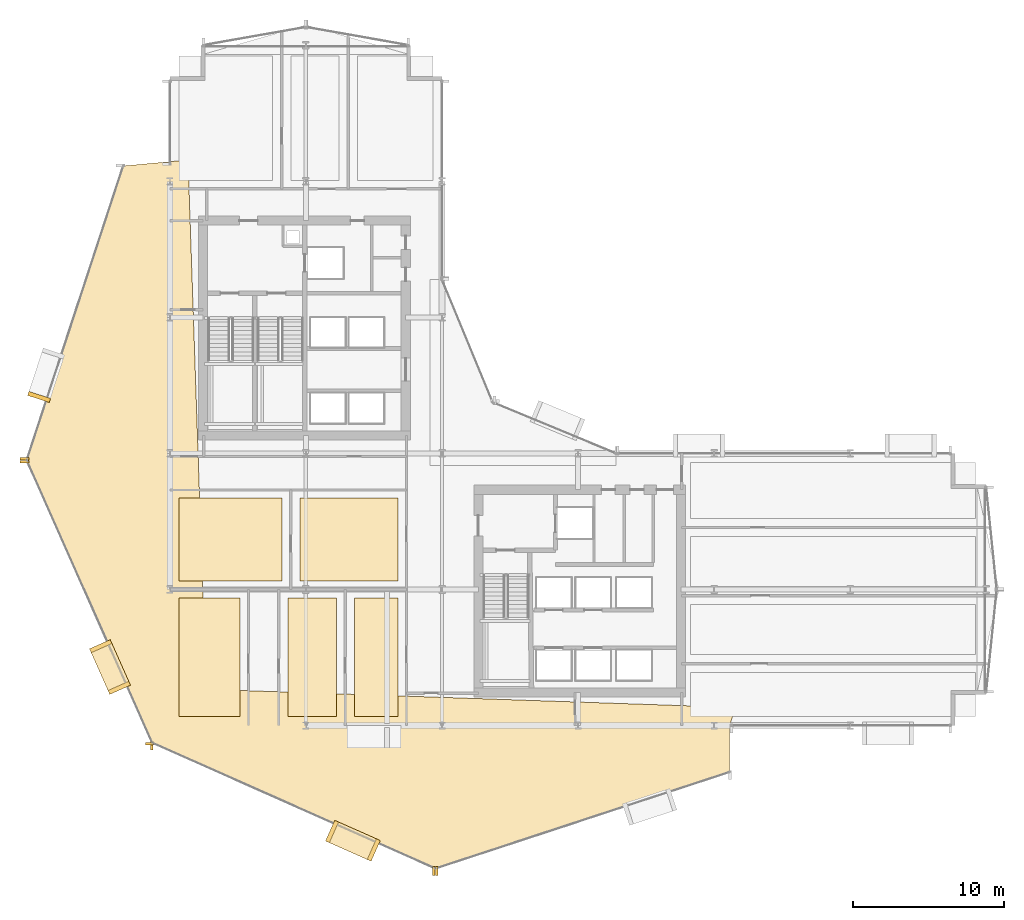
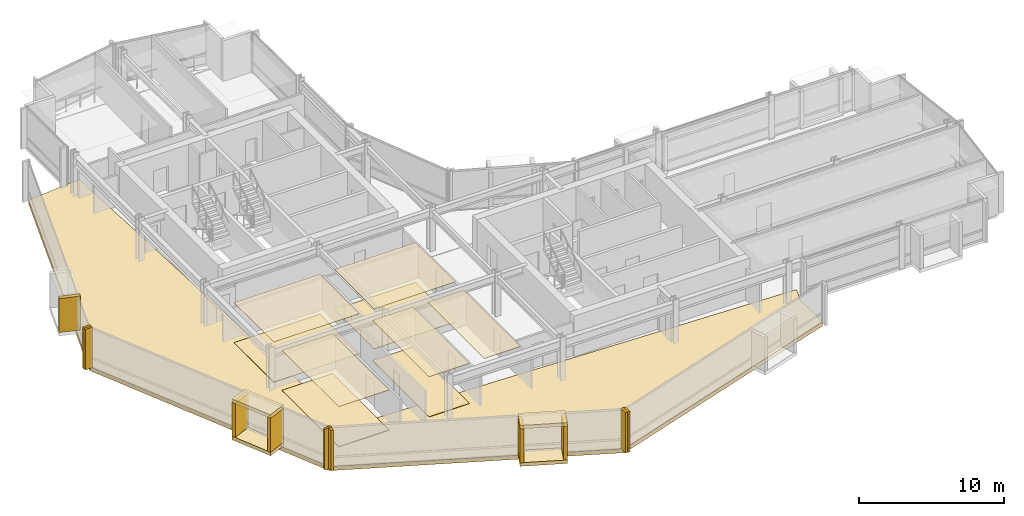
# One storey, part 30 of 34: 25 coverings.
"""IFC4 building model written with IfcOpenShell, lengths in metres."""

from ifc_helpers import new_model, si_unit, direction, frame, origin, origin_2d, place, context, subcontext, project, spatial, polyline, rectangle, outline, extrude, material, layer, layer_set, type_object, element, save


model = new_model("IFC4")

# Units and contexts
model_context = context("Model", 3, precision=1e-05, world=origin(), true_north=direction((0.0, 1.0)))
body_context = subcontext(model_context, "Body", "Model", "MODEL_VIEW")
ifc_project = project(units=[si_unit("LENGTHUNIT", "METRE"), si_unit("AREAUNIT", "SQUARE_METRE"), si_unit("VOLUMEUNIT", "CUBIC_METRE"), si_unit("PLANEANGLEUNIT", "RADIAN"), si_unit("MASSUNIT", "GRAM", prefix="KILO")], contexts=[model_context])

# Site, building, storey
site_placement = place(None, origin())
site = spatial("IfcSite", under=ifc_project, at=site_placement, CompositionType="ELEMENT")
building_placement = place(site_placement, origin())
building = spatial("IfcBuilding", under=site, at=building_placement, Name="Solvaryn Broadcast Tower", CompositionType="ELEMENT")
storey_placement = place(building_placement, frame((0.0, 0.0, 47.10009765625)))
storey = spatial("IfcBuildingStorey", under=building, at=storey_placement, Name="L10", CompositionType="ELEMENT", Elevation=47.10009765625)

# Coverings
ifc_material_1 = material(Name="Micro-Perforated Acoustic Gypsum Ceiling", Category="concrete")
ifc_layer_1 = layer(ifc_material_1, 0.0400390625)
ifc_layer_set_1 = layer_set([ifc_layer_1], Name="CV-CEIL-ACOUSTIC")
covering_type_1 = type_object("IfcCoveringType", Name="CV-CEIL-ACOUSTIC", PredefinedType="CEILING", material=ifc_layer_set_1)
covering_1_placement = place(storey_placement, frame((0.0, 0.0, 3.3798828125)))
element("IfcCovering", 1, at=covering_1_placement, inside=storey, type_object=covering_type_1, Name="L10 Room Acoustic Ceiling 1", PredefinedType="CEILING", context=body_context, shape_type="SweptSolid", body=[
    extrude(outline(polyline([(9.60009765625, 18.570068359375), (16.429931640625, 18.570068359375), (16.429931640625, 24.050048828125), (9.60009765625, 24.050048828125), (9.60009765625, 18.570068359375)])), origin(), (0.0, 0.0, 1.0), 0.0400390625),
])
covering_2_placement = place(storey_placement, frame((0.0, 0.0, 3.3798828125)))
element("IfcCovering", 2, at=covering_2_placement, inside=storey, type_object=covering_type_1, Name="L10 Room Acoustic Ceiling 2", PredefinedType="CEILING", context=body_context, shape_type="SweptSolid", body=[
    extrude(outline(polyline([(17.60009765625, 18.570068359375), (24.080078125, 18.570068359375), (24.080078125, 24.050048828125), (17.60009765625, 24.050048828125), (17.60009765625, 18.570068359375)])), origin(), (0.0, 0.0, 1.0), 0.0400390625),
])
covering_3_placement = place(storey_placement, frame((0.0, 0.0, 3.3798828125)))
element("IfcCovering", 3, at=covering_3_placement, inside=storey, type_object=covering_type_1, Name="L10 Room Acoustic Ceiling 3", PredefinedType="CEILING", context=body_context, shape_type="SweptSolid", body=[
    extrude(outline(polyline([(9.60009765625, 9.60009765625), (13.6298828125, 9.60009765625), (13.6298828125, 17.429931640625), (9.60009765625, 17.429931640625), (9.60009765625, 9.60009765625)])), origin(), (0.0, 0.0, 1.0), 0.0400390625),
])
covering_4_placement = place(storey_placement, frame((0.0, 0.0, 3.3798828125)))
element("IfcCovering", 4, at=covering_4_placement, inside=storey, type_object=covering_type_1, Name="L10 Room Acoustic Ceiling 4", PredefinedType="CEILING", context=body_context, shape_type="SweptSolid", body=[
    extrude(outline(polyline([(16.800048828125, 9.60009765625), (20.030029296875, 9.60009765625), (20.030029296875, 17.429931640625), (16.800048828125, 17.429931640625), (16.800048828125, 9.60009765625)])), origin(), (0.0, 0.0, 1.0), 0.0400390625),
])
covering_5_placement = place(storey_placement, frame((0.0, 0.0, 3.3798828125)))
element("IfcCovering", 5, at=covering_5_placement, inside=storey, type_object=covering_type_1, Name="L10 Room Acoustic Ceiling 5", PredefinedType="CEILING", context=body_context, shape_type="SweptSolid", body=[
    extrude(outline(polyline([(21.199951171875, 9.60009765625), (24.080078125, 9.60009765625), (24.080078125, 17.429931640625), (21.199951171875, 17.429931640625), (21.199951171875, 9.60009765625)])), origin(), (0.0, 0.0, 1.0), 0.0400390625),
])
ifc_material_2 = material(Name="Newsroom Raised Data Access Flooring", Category="steel")
ifc_layer_2 = layer(ifc_material_2, 0.050048828125)
ifc_layer_set_2 = layer_set([ifc_layer_2], Name="CV-FLOOR-RAISED")
covering_type_2 = type_object("IfcCoveringType", Name="CV-FLOOR-RAISED", PredefinedType="FLOORING", material=ifc_layer_set_2)
covering_6_placement = place(storey_placement, origin())
element("IfcCovering", 6, at=covering_6_placement, inside=storey, type_object=covering_type_2, Name="L10 Room Acoustic Floor Finish 1", PredefinedType="FLOORING", context=body_context, shape_type="SweptSolid", body=[
    extrude(outline(polyline([(9.60009765625, 18.570068359375), (16.429931640625, 18.570068359375), (16.429931640625, 24.050048828125), (9.60009765625, 24.050048828125), (9.60009765625, 18.570068359375)])), origin(), (0.0, 0.0, 1.0), 0.0498046875),
])
covering_7_placement = place(storey_placement, origin())
element("IfcCovering", 7, at=covering_7_placement, inside=storey, type_object=covering_type_2, Name="L10 Room Acoustic Floor Finish 2", PredefinedType="FLOORING", context=body_context, shape_type="SweptSolid", body=[
    extrude(outline(polyline([(17.60009765625, 18.570068359375), (24.080078125, 18.570068359375), (24.080078125, 24.050048828125), (17.60009765625, 24.050048828125), (17.60009765625, 18.570068359375)])), origin(), (0.0, 0.0, 1.0), 0.0498046875),
])
covering_8_placement = place(storey_placement, origin())
element("IfcCovering", 8, at=covering_8_placement, inside=storey, type_object=covering_type_2, Name="L10 Room Acoustic Floor Finish 3", PredefinedType="FLOORING", context=body_context, shape_type="SweptSolid", body=[
    extrude(outline(polyline([(9.60009765625, 9.60009765625), (13.6298828125, 9.60009765625), (13.6298828125, 17.429931640625), (9.60009765625, 17.429931640625), (9.60009765625, 9.60009765625)])), origin(), (0.0, 0.0, 1.0), 0.0498046875),
])
covering_9_placement = place(storey_placement, origin())
element("IfcCovering", 9, at=covering_9_placement, inside=storey, type_object=covering_type_2, Name="L10 Room Acoustic Floor Finish 4", PredefinedType="FLOORING", context=body_context, shape_type="SweptSolid", body=[
    extrude(outline(polyline([(16.800048828125, 9.60009765625), (20.030029296875, 9.60009765625), (20.030029296875, 17.429931640625), (16.800048828125, 17.429931640625), (16.800048828125, 9.60009765625)])), origin(), (0.0, 0.0, 1.0), 0.0498046875),
])
ifc_material_3 = material(Name="Glazed Architectural Terracotta Rainscreen Cladding", Category="masonry")
ifc_layer_3 = layer(ifc_material_3, 0.280029296875)
ifc_layer_set_3 = layer_set([ifc_layer_3], Name="CV-TC-CLAD")
covering_type_3 = type_object("IfcCoveringType", Name="CV-TC-CLAD", PredefinedType="CLADDING", material=ifc_layer_set_3)
covering_10_placement = place(storey_placement, frame((0.348388671875, 30.73828125, 0.27978515625), z_axis=(0.0, 0.0, 1.0), x_axis=(-0.311671636848, -0.950189870912, 0.0)))
element("IfcCovering", 10, at=covering_10_placement, inside=storey, type_object=covering_type_3, Name="L10 Projecting Stone Window Box Cheek 1-2", PredefinedType="CLADDING", context=body_context, shape_type="SweptSolid", body=[
    extrude(rectangle(XDim=0.280029296875, YDim=1.5, at=origin_2d()), origin(), (0.0, 0.0, 1.0), 2.860107421875),
])
for number, where, z_axis, x_axis, name in (
    (11, (5.035888671875, 12.8720703125, 3.1298828125), (0.0, 0.0, 1.0), (0.405939269498, -0.913900054426, 0.0), "L10 Projecting Stone Window Box Hood 2"),
    (12, (5.035888671875, 12.8720703125, -0.01025390625), (0.0, 0.0, 1.0), (0.405939269498, -0.913900054426, 0.0), "L10 Projecting Stone Window Box Sill 2"),
):
    element("IfcCovering", number, at=place(storey_placement, frame(where, z_axis=z_axis, x_axis=x_axis)), inside=storey, type_object=covering_type_3, Name=name, PredefinedType="CLADDING", context=body_context, shape_type="SweptSolid", body=[
        extrude(rectangle(XDim=3.300048828125, YDim=1.5, at=origin_2d()), origin(), (0.0, 0.0, 1.0), 0.300048828125),
    ])
for number, where, z_axis, x_axis, name in (
    (13, (4.423095703125, 14.251953125, 0.27978515625), (0.0, 0.0, 1.0), (0.405939269498, -0.913900054426, 0.0), "L10 Projecting Stone Window Box Cheek 2-1"),
    (14, (5.64892578125, 11.491943359375, 0.27978515625), (0.0, 0.0, 1.0), (0.405939269498, -0.913900054426, 0.0), "L10 Projecting Stone Window Box Cheek 2-2"),
):
    element("IfcCovering", number, at=place(storey_placement, frame(where, z_axis=z_axis, x_axis=x_axis)), inside=storey, type_object=covering_type_3, Name=name, PredefinedType="CLADDING", context=body_context, shape_type="SweptSolid", body=[
        extrude(rectangle(XDim=0.280029296875, YDim=1.5, at=origin_2d()), origin(), (0.0, 0.0, 1.0), 2.860107421875),
    ])
for number, where, z_axis, x_axis, name in (
    (15, (21.10498046875, 1.37890625, 3.1298828125), (0.0, 0.0, 1.0), (0.913900054426, -0.405939269498, 0.0), "L10 Projecting Stone Window Box Hood 3"),
    (16, (21.10498046875, 1.37890625, -0.01025390625), (0.0, 0.0, 1.0), (0.913900054426, -0.405939269498, 0.0), "L10 Projecting Stone Window Box Sill 3"),
):
    element("IfcCovering", number, at=place(storey_placement, frame(where, z_axis=z_axis, x_axis=x_axis)), inside=storey, type_object=covering_type_3, Name=name, PredefinedType="CLADDING", context=body_context, shape_type="SweptSolid", body=[
        extrude(rectangle(XDim=3.300048828125, YDim=1.5, at=origin_2d()), origin(), (0.0, 0.0, 1.0), 0.300048828125),
    ])
for number, where, z_axis, x_axis, name in (
    (17, (19.72509765625, 1.991943359375, 0.27978515625), (0.0, 0.0, 1.0), (0.913900054426, -0.405939269498, 0.0), "L10 Projecting Stone Window Box Cheek 3-1"),
    (18, (22.485107421875, 0.76611328125, 0.27978515625), (0.0, 0.0, 1.0), (0.913900054426, -0.405939269498, 0.0), "L10 Projecting Stone Window Box Cheek 3-2"),
):
    element("IfcCovering", number, at=place(storey_placement, frame(where, z_axis=z_axis, x_axis=x_axis)), inside=storey, type_object=covering_type_3, Name=name, PredefinedType="CLADDING", context=body_context, shape_type="SweptSolid", body=[
        extrude(rectangle(XDim=0.280029296875, YDim=1.5, at=origin_2d()), origin(), (0.0, 0.0, 1.0), 2.860107421875),
    ])
ifc_material_4 = material(Name="Extruded Architectural Terracotta Fin", Category="masonry")
ifc_layer_4 = layer(ifc_material_4, 0.179931640625)
ifc_layer_set_4 = layer_set([ifc_layer_4], Name="CV-TC-FIN")
covering_type_4 = type_object("IfcCoveringType", Name="CV-TC-FIN", PredefinedType="USERDEFINED", material=ifc_layer_set_4)
for number, where, z_axis, x_axis, name in (
    (19, (-0.625732421875, 26.644775390625, 0.0), (0.0, 0.0, 1.0), (1.0, 0.0, 0.0), "L10 Terracotta Vertical Fin FIN-L10-DR1-M01"),
    (20, (-0.6162109375, 26.459716796875, 0.0), (0.0, 0.0, 1.0), (1.0, 0.0, 0.0), "L10 Terracotta Vertical Fin FIN-L10-DR2-M00"),
    (21, (7.670654296875, 7.8017578125, 0.0), (0.0, 0.0, 1.0), (1.0, 0.0, 0.0), "L10 Terracotta Vertical Fin FIN-L10-DR2-M01"),
):
    element("IfcCovering", number, at=place(storey_placement, frame(where, z_axis=z_axis, x_axis=x_axis)), inside=storey, type_object=covering_type_4, Name=name, ObjectType="FIN", PredefinedType="USERDEFINED", context=body_context, shape_type="SweptSolid", body=[
        extrude(rectangle(XDim=0.580078125, YDim=0.179931640625, at=origin_2d()), origin(), (0.0, 0.0, 1.0), 3.419921875),
    ])
for number, where, z_axis, x_axis, name in (
    (22, (7.8017578125, 7.670654296875, 0.0), (0.0, 0.0, 1.0), (1.0, 0.0, 0.0), "L10 Terracotta Vertical Fin FIN-L10-DR3-M00"),
    (23, (26.459716796875, -0.6162109375, 0.0), (0.0, 0.0, 1.0), (1.0, 0.0, 0.0), "L10 Terracotta Vertical Fin FIN-L10-DR3-M01"),
    (24, (26.644775390625, -0.625732421875, 0.0), (0.0, 0.0, 1.0), (1.0, 0.0, 0.0), "L10 Terracotta Vertical Fin FIN-L10-DR4-M00"),
):
    element("IfcCovering", number, at=place(storey_placement, frame(where, z_axis=z_axis, x_axis=x_axis)), inside=storey, type_object=covering_type_4, Name=name, ObjectType="FIN", PredefinedType="USERDEFINED", context=body_context, shape_type="SweptSolid", body=[
        extrude(rectangle(XDim=0.179931640625, YDim=0.580078125, at=origin_2d()), origin(), (0.0, 0.0, 1.0), 3.419921875),
    ])
ifc_material_5 = material(Name="Sculpted Architectural Terracotta Wave Fascia", Category="masonry")
ifc_layer_5 = layer(ifc_material_5, 0.340087890625)
ifc_layer_set_5 = layer_set([ifc_layer_5], Name="CV-WAVE-TRAY")
covering_type_5 = type_object("IfcCoveringType", Name="CV-WAVE-TRAY", PredefinedType="CLADDING", material=ifc_layer_set_5)
covering_11_placement = place(storey_placement, frame((0.0, 0.0, -0.300048828125)))
element("IfcCovering", 25, at=covering_11_placement, inside=storey, type_object=covering_type_5, Name="L10 Stepped Cylindrical Drum Floor Apron", PredefinedType="CLADDING", context=body_context, shape_type="SweptSolid", body=[
    extrude(outline(polyline([(10.199951171875, 46.416015625), (5.916015625, 46.01611328125), (-0.464111328125, 26.56005859375), (7.846923828125, 7.846923828125), (26.56005859375, -0.464111328125), (46.01611328125, 5.916015625), (46.01611328125, 9.0), (46.416015625, 10.199951171875), (11.39990234375, 11.39990234375), (10.199951171875, 46.416015625)])), origin(), (0.0, 0.0, 1.0), 0.329833984375),
])

save(model, "model.ifc")
